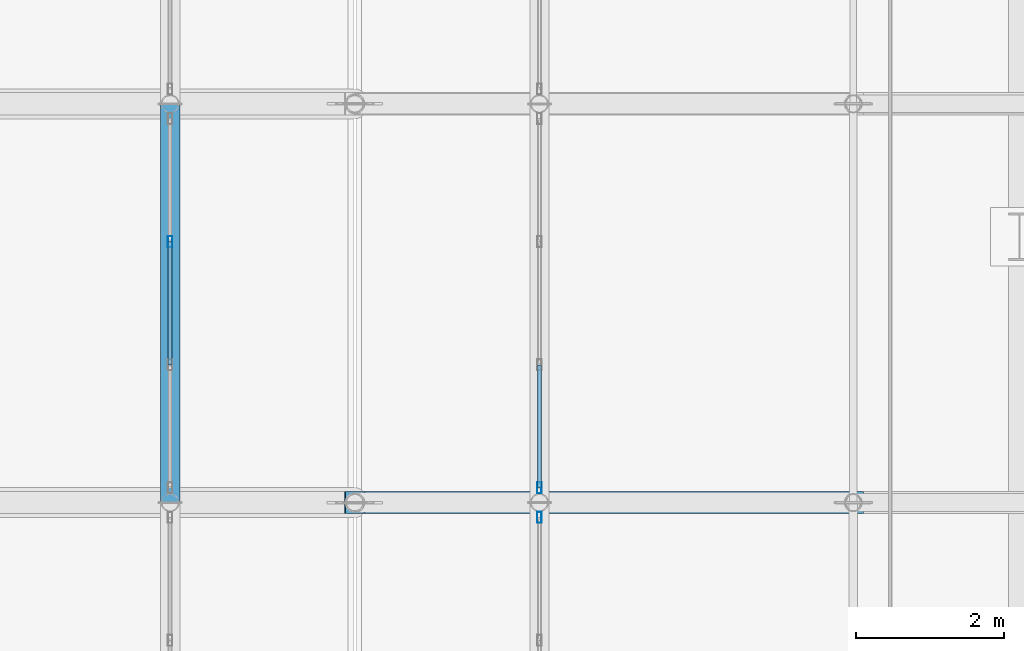
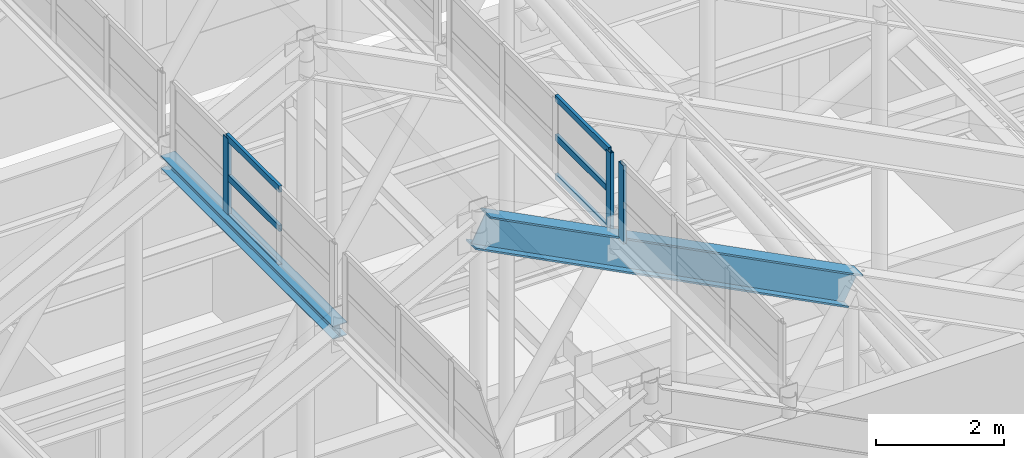
# One storey, part 38 of 84: 10 members, 1 beam, 3 elements without a shape of their own.
"""IFC4 building model written with IfcOpenShell, lengths in metres."""

from ifc_helpers import new_model, si_unit, direction, frame, origin, origin_2d, place, context, subcontext, project, spatial, hollow_rectangle, i_section, extrude, material, layer, layer_set, material_profile, profile_set, type_object, element, aggregate, save


model = new_model("IFC4")

# Units and contexts
model_context = context("Model", 3, precision=1e-05, world=origin(), true_north=direction((0.0, 1.0)))
body_context = subcontext(model_context, "Body", "Model", "MODEL_VIEW")
ifc_project = project(units=[si_unit("LENGTHUNIT", "METRE"), si_unit("AREAUNIT", "SQUARE_METRE"), si_unit("VOLUMEUNIT", "CUBIC_METRE"), si_unit("PLANEANGLEUNIT", "RADIAN"), si_unit("MASSUNIT", "GRAM", prefix="KILO")], contexts=[model_context])

# Site, building, storey
site_placement = place(None, origin())
site = spatial("IfcSite", under=ifc_project, at=site_placement, CompositionType="ELEMENT")
building_placement = place(site_placement, origin())
building = spatial("IfcBuilding", under=site, at=building_placement, Name="Sundgate Opera House", CompositionType="ELEMENT")
storey_placement = place(building_placement, frame((0.0, 0.0, 30.60009765625)))
storey = spatial("IfcBuildingStorey", under=building, at=storey_placement, Name="L06", CompositionType="ELEMENT", Elevation=30.60009765625)

# Beam
ifc_material_1 = material(Name="Steel S355J2", Category="steel")
ifc_material_profile_1 = material_profile(ifc_material_1, i_section(OverallWidth=0.260009765625, OverallDepth=0.25, WebThickness=0.007568359375, FlangeThickness=0.012451171875, at=origin_2d()), Name="HEA 260")
ifc_profile_set_1 = profile_set([ifc_material_profile_1], Name="Steel S355J2")
beam_type = type_object("IfcBeamType", Name="BM-LN-HEA260", PredefinedType="LINTEL", material=ifc_profile_set_1)
beam_placement = place(storey_placement, frame((51.5, 65.39990234375, 16.119873046875), z_axis=(0.0, 1.0, 0.0), x_axis=(-1.0, 0.0, 0.0)))
element("IfcBeam", 1, at=beam_placement, inside=storey, type_object=beam_type, Name="L06 Crown Clerestory Curb Beam BS034", PredefinedType="LINTEL", context=body_context, shape_type="SweptSolid", body=[
    extrude(i_section(OverallWidth=0.260009765625, OverallDepth=0.25, WebThickness=0.007568359375, FlangeThickness=0.012451171875, at=origin_2d()), origin(), (0.0, 0.0, 1.0), 5.400146484375),
])

# Curtain wall, member
ifc_material_2 = material(Name="Anodized aluminium and low-iron glass", Category="aluminium")
ifc_layer = layer(ifc_material_2, 0.169921875)
ifc_layer_set = layer_set([ifc_layer], Name="Anodized aluminium and low-iron glass")
curtain_wall_type = type_object("IfcCurtainWallType", Name="CW-LANTERN-POLY", PredefinedType="NOTDEFINED", material=ifc_layer_set)
curtain_wall_1_placement = place(storey_placement, origin())
curtain_wall_1 = element("IfcCurtainWall", 2, at=curtain_wall_1_placement, inside=storey, type_object=curtain_wall_type, Name="L06 Curtain Wall CW180", PredefinedType="NOTDEFINED")
ifc_material_3 = material(Name="Anodized aluminium EN AW-6063", Category="aluminium")
ifc_material_profile_2 = material_profile(ifc_material_3, hollow_rectangle(XDim=0.06005859375, YDim=0.14990234375, WallThickness=0.00390625, at=origin_2d()), Name="CWM 150x60x4")
ifc_profile_set_2 = profile_set([ifc_material_profile_2], Name="Anodized aluminium EN AW-6063")
member_type_1 = type_object("IfcMemberType", Name="CWM-ALU-150x60", PredefinedType="MULLION", material=ifc_profile_set_2)
member_1_placement = place(storey_placement, frame((56.5, 65.199951171875, 16.199951171875), z_axis=(0.0, 0.0, 1.0), x_axis=(1.0, 0.0, 0.0)))
member_1 = element("IfcMember", 3, at=member_1_placement, type_object=member_type_1, Name="CW180 Mullion 4", PredefinedType="MULLION", context=body_context, shape_type="SweptSolid", body=[
    extrude(hollow_rectangle(XDim=0.06005859375, YDim=0.14990234375, WallThickness=0.00390625, at=origin_2d()), origin(), (0.0, 0.0, 1.0), 1.5),
])
aggregate(curtain_wall_1, [member_1])

curtain_wall_2_placement = place(storey_placement, origin())
curtain_wall_2 = element("IfcCurtainWall", 4, at=curtain_wall_2_placement, inside=storey, type_object=curtain_wall_type, Name="L06 Curtain Wall CW181", PredefinedType="NOTDEFINED")
member_2_placement = place(storey_placement, frame((51.5, 68.933349609375, 16.199951171875), z_axis=(0.0, 0.0, 1.0), x_axis=(1.0, 0.0, 0.0)))
member_2 = element("IfcMember", 5, at=member_2_placement, type_object=member_type_1, Name="CW181 Mullion 2", PredefinedType="MULLION", context=body_context, shape_type="SweptSolid", body=[
    extrude(hollow_rectangle(XDim=0.06005859375, YDim=0.14990234375, WallThickness=0.00390625, at=origin_2d()), origin(), (0.0, 0.0, 1.0), 1.5),
])

curtain_wall_3_placement = place(storey_placement, origin())
curtain_wall_3 = element("IfcCurtainWall", 6, at=curtain_wall_3_placement, inside=storey, type_object=curtain_wall_type, Name="L06 Curtain Wall CW182", PredefinedType="NOTDEFINED")
member_3_placement = place(storey_placement, frame((56.5, 65.60009765625, 16.199951171875), z_axis=(0.0, 0.0, 1.0), x_axis=(1.0, 0.0, 0.0)))
member_3 = element("IfcMember", 7, at=member_3_placement, type_object=member_type_1, Name="CW182 Mullion 1", PredefinedType="MULLION", context=body_context, shape_type="SweptSolid", body=[
    extrude(hollow_rectangle(XDim=0.06005859375, YDim=0.14990234375, WallThickness=0.00390625, at=origin_2d()), origin(), (0.0, 0.0, 1.0), 1.5),
])

# Member
ifc_material_4 = material(Name="Anodized aluminium EN AW-6063", Category="aluminium")
ifc_material_profile_3 = material_profile(ifc_material_4, hollow_rectangle(XDim=0.054931640625, YDim=0.1201171875, WallThickness=0.00390625, at=origin_2d()), Name="CWT 120x55x4")
ifc_profile_set_3 = profile_set([ifc_material_profile_3], Name="Anodized aluminium EN AW-6063")
member_type_2 = type_object("IfcMemberType", Name="CWT-ALU-120x55", PredefinedType="USERDEFINED", material=ifc_profile_set_3)
member_4_placement = place(storey_placement, frame((51.5, 68.933349609375, 16.199951171875), z_axis=(0.0, -1.0, 0.0), x_axis=(1.0, 0.0, 0.0)))
member_4 = element("IfcMember", 8, at=member_4_placement, type_object=member_type_2, Name="CW181 Transom 4", ObjectType="TRANSOM", PredefinedType="USERDEFINED", context=body_context, shape_type="SweptSolid", body=[
    extrude(hollow_rectangle(XDim=0.054931640625, YDim=0.1201171875, WallThickness=0.00390625, at=origin_2d()), origin(), (0.0, 0.0, 1.0), 1.666748046875),
])

member_5_placement = place(storey_placement, frame((51.5, 68.933349609375, 16.949951171875), z_axis=(0.0, -1.0, 0.0), x_axis=(1.0, 0.0, 0.0)))
member_5 = element("IfcMember", 9, at=member_5_placement, type_object=member_type_2, Name="CW181 Transom 5", ObjectType="TRANSOM", PredefinedType="USERDEFINED", context=body_context, shape_type="SweptSolid", body=[
    extrude(hollow_rectangle(XDim=0.054931640625, YDim=0.1201171875, WallThickness=0.00390625, at=origin_2d()), origin(), (0.0, 0.0, 1.0), 1.666748046875),
])

member_6_placement = place(storey_placement, frame((51.5, 68.933349609375, 17.699951171875), z_axis=(0.0, -1.0, 0.0), x_axis=(1.0, 0.0, 0.0)))
member_6 = element("IfcMember", 10, at=member_6_placement, type_object=member_type_2, Name="CW181 Transom 6", ObjectType="TRANSOM", PredefinedType="USERDEFINED", context=body_context, shape_type="SweptSolid", body=[
    extrude(hollow_rectangle(XDim=0.054931640625, YDim=0.1201171875, WallThickness=0.00390625, at=origin_2d()), origin(), (0.0, 0.0, 1.0), 1.666748046875),
])

aggregate(curtain_wall_2, [member_2, member_4, member_5, member_6])

member_7_placement = place(storey_placement, frame((56.5, 65.60009765625, 16.199951171875), z_axis=(0.0, 1.0, 0.0), x_axis=(-1.0, 0.0, 0.0)))
member_7 = element("IfcMember", 11, at=member_7_placement, type_object=member_type_2, Name="CW182 Transom 1", ObjectType="TRANSOM", PredefinedType="USERDEFINED", context=body_context, shape_type="SweptSolid", body=[
    extrude(hollow_rectangle(XDim=0.054931640625, YDim=0.1201171875, WallThickness=0.00390625, at=origin_2d()), origin(), (0.0, 0.0, 1.0), 1.66650390625),
])

member_8_placement = place(storey_placement, frame((56.5, 65.60009765625, 16.949951171875), z_axis=(0.0, 1.0, 0.0), x_axis=(-1.0, 0.0, 0.0)))
member_8 = element("IfcMember", 12, at=member_8_placement, type_object=member_type_2, Name="CW182 Transom 2", ObjectType="TRANSOM", PredefinedType="USERDEFINED", context=body_context, shape_type="SweptSolid", body=[
    extrude(hollow_rectangle(XDim=0.054931640625, YDim=0.1201171875, WallThickness=0.00390625, at=origin_2d()), origin(), (0.0, 0.0, 1.0), 1.66650390625),
])

member_9_placement = place(storey_placement, frame((56.5, 65.60009765625, 17.699951171875), z_axis=(0.0, 1.0, 0.0), x_axis=(-1.0, 0.0, 0.0)))
member_9 = element("IfcMember", 13, at=member_9_placement, type_object=member_type_2, Name="CW182 Transom 3", ObjectType="TRANSOM", PredefinedType="USERDEFINED", context=body_context, shape_type="SweptSolid", body=[
    extrude(hollow_rectangle(XDim=0.054931640625, YDim=0.1201171875, WallThickness=0.00390625, at=origin_2d()), origin(), (0.0, 0.0, 1.0), 1.66650390625),
])

aggregate(curtain_wall_3, [member_3, member_7, member_8, member_9])

ifc_material_5 = material(Name="Steel S355J2", Category="steel")
ifc_material_profile_4 = material_profile(ifc_material_5, i_section(OverallWidth=0.300048828125, OverallDepth=0.60009765625, WebThickness=0.015380859375, FlangeThickness=0.030029296875, at=origin_2d()), Name="HEB 600")
ifc_profile_set_4 = profile_set([ifc_material_profile_4], Name="Steel S355J2")
member_type_3 = type_object("IfcMemberType", Name="MB-CHORD-HEB600", PredefinedType="CHORD", material=ifc_profile_set_4)
member_10_placement = place(storey_placement, frame((54.0, 65.39990234375, 17.199951171875), z_axis=(0.888960276237, 0.0, -0.457984308981), x_axis=(0.0, 1.0, 0.0)))
element("IfcMember", 14, at=member_10_placement, inside=storey, type_object=member_type_3, Name="L06 Fly-Tower Truss Top Chord M0141", PredefinedType="CHORD", context=body_context, shape_type="SweptSolid", body=[
    extrude(i_section(OverallWidth=0.300048828125, OverallDepth=0.60009765625, WebThickness=0.015380859375, FlangeThickness=0.030029296875, at=origin_2d()), origin(), (0.0, 0.0, 1.0), 7.59326171875),
])

save(model, "model.ifc")
